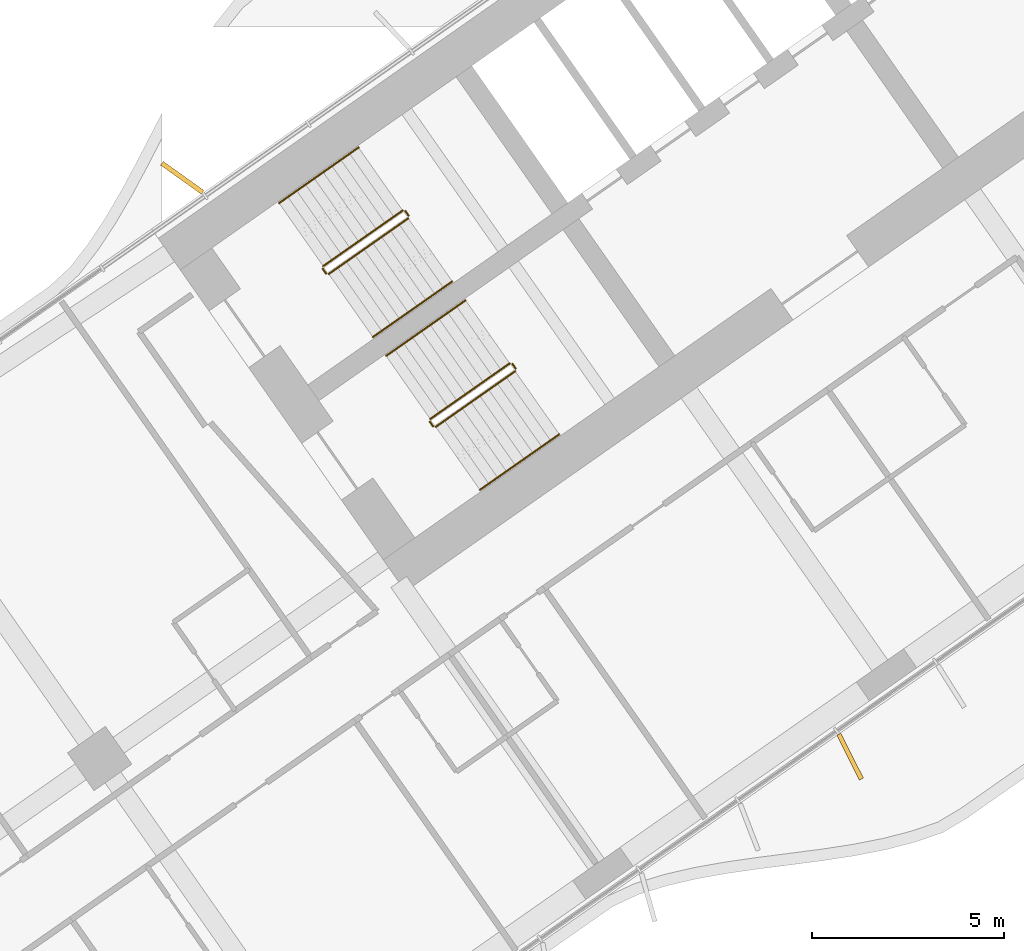
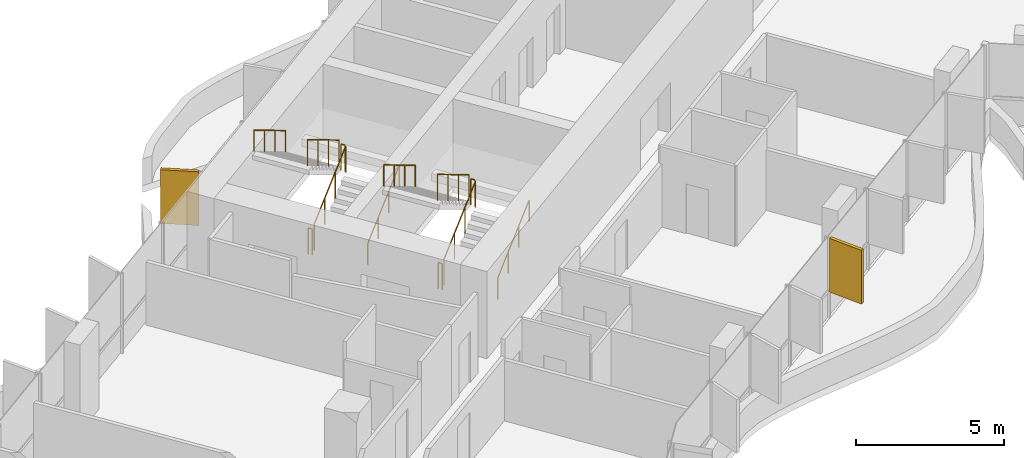
# One storey, part 19 of 23: 12 railings, 2 shading devices.
"""IFC4 building model written with IfcOpenShell, lengths in metres."""

from ifc_helpers import new_model, si_unit, direction, frame, origin, origin_2d, place, context, subcontext, project, spatial, rectangle, circle, extrude, material, layer, layer_set, type_object, element, save


model = new_model("IFC4")

# Units and contexts
model_context = context("Model", 3, precision=1e-05, world=origin(), true_north=direction((0.0, 1.0)))
body_context = subcontext(model_context, "Body", "Model", "MODEL_VIEW")
ifc_project = project(units=[si_unit("LENGTHUNIT", "METRE"), si_unit("AREAUNIT", "SQUARE_METRE"), si_unit("VOLUMEUNIT", "CUBIC_METRE"), si_unit("PLANEANGLEUNIT", "RADIAN"), si_unit("MASSUNIT", "GRAM", prefix="KILO")], contexts=[model_context])

# Site, building, storey
site_placement = place(None, origin())
site = spatial("IfcSite", under=ifc_project, at=site_placement, CompositionType="ELEMENT")
building_placement = place(site_placement, origin())
building = spatial("IfcBuilding", under=site, at=building_placement, Name="Tel Ilan Convention Tower", CompositionType="ELEMENT")
storey_placement = place(building_placement, frame((0.0, 0.0, 79.699951171875)))
storey = spatial("IfcBuildingStorey", under=building, at=storey_placement, Name="L15", CompositionType="ELEMENT", Elevation=79.699951171875)

# Shading devices
ifc_material_1 = material(Name="Aluminium, bronze anodised", Category="aluminium")
ifc_layer = layer(ifc_material_1, 0.1201171875)
ifc_layer_set = layer_set([ifc_layer], Name="FIN BRONZE 1300x120")
shading_device_type = type_object("IfcShadingDeviceType", Name="FIN BRONZE 1300x120", PredefinedType="USERDEFINED", material=ifc_layer_set)
for number, where, z_axis, x_axis, name in (
    (1, (-27.3427734375, -5.555419921875, 1.10009765625), (0.0, 0.0, 1.0), (-0.813552070258, 0.581492071294, 0.0), "FIN"),
    (2, (-9.9833984375, -20.603759765625, 1.10009765625), (0.0, 0.0, 1.0), (0.448799180206, -0.893632640321, 0.0), "FIN"),
):
    element("IfcShadingDevice", number, at=place(storey_placement, frame(where, z_axis=z_axis, x_axis=x_axis)), inside=storey, type_object=shading_device_type, Name=name, ObjectType="FIN", PredefinedType="USERDEFINED", context=body_context, shape_type="SweptSolid", body=[
        extrude(rectangle(XDim=1.300048828125, YDim=0.1201171875, at=origin_2d()), origin(), (0.0, 0.0, 1.0), 2.219970703125),
    ])

# Railings
ifc_material_2 = material(Name="Stainless Steel Grade 316", Category="steel")
railing_type_1 = type_object("IfcRailingType", Name="Stainless Steel Stair Guard 1100 mm", PredefinedType="GUARDRAIL", material=ifc_material_2)
railing_1_placement = place(storey_placement, frame((-23.535400390625, -8.056396484375, 0.179931640625)))
element("IfcRailing", 3, at=railing_1_placement, inside=storey, type_object=railing_type_1, Name="L15 S1 stair guard 1", PredefinedType="GUARDRAIL", context=body_context, shape_type="SweptSolid", body=[
    extrude(circle(Radius=0.02392578125, at=origin_2d()), frame((0.0, 0.0, 1.076171875), z_axis=(0.689013013563, 0.482512838948, 0.540779462804), x_axis=(-0.573624882958, 0.819118119475, 0.0)), (0.0, 0.0, 1.0), 2.995849609375),
    extrude(circle(Radius=0.02099609375, at=origin_2d()), origin(), (0.0, 0.0, 1.0), 1.052001953125),
    extrude(circle(Radius=0.02099609375, at=origin_2d()), frame((0.68798828125, 0.48193359375, 0.5400390625)), (0.0, 0.0, 1.0), 1.052001953125),
    extrude(circle(Radius=0.02099609375, at=origin_2d()), frame((1.376220703125, 0.963623046875, 1.080078125)), (0.0, 0.0, 1.0), 1.052001953125),
    extrude(circle(Radius=0.02099609375, at=origin_2d()), frame((2.064208984375, 1.445556640625, 1.6201171875)), (0.0, 0.0, 1.0), 1.052001953125),
])
railing_2_placement = place(storey_placement, frame((-21.458984375, -6.541259765625, 1.800048828125)))
element("IfcRailing", 4, at=railing_2_placement, inside=storey, type_object=railing_type_1, Name="L15 S1 stair guard 2", PredefinedType="GUARDRAIL", context=body_context, shape_type="SweptSolid", body=[
    extrude(circle(Radius=0.02392578125, at=origin_2d()), frame((0.0, 0.0, 1.076171875), z_axis=(-0.573353020881, 0.819308436089, 0.0), x_axis=(-0.819308436089, -0.573353020881, 0.0)), (0.0, 0.0, 1.0), 0.14990234375),
    extrude(circle(Radius=0.02099609375, at=origin_2d()), origin(), (0.0, 0.0, 1.0), 1.052001953125),
    extrude(circle(Radius=0.02099609375, at=origin_2d()), frame((-0.0859375, 0.122802734375, 0.0)), (0.0, 0.0, 1.0), 1.052001953125),
])
railing_3_placement = place(storey_placement, frame((-21.614501953125, -6.406005859375, 1.97998046875)))
element("IfcRailing", 5, at=railing_3_placement, inside=storey, type_object=railing_type_1, Name="L15 S1 stair guard 3", PredefinedType="GUARDRAIL", context=body_context, shape_type="SweptSolid", body=[
    extrude(circle(Radius=0.02392578125, at=origin_2d()), frame((0.0, 0.0, 1.076171875), z_axis=(-0.689013013563, -0.482512838948, 0.540779462804), x_axis=(0.573624882958, -0.819118119475, 0.0)), (0.0, 0.0, 1.0), 2.995849609375),
    extrude(circle(Radius=0.02099609375, at=origin_2d()), origin(), (0.0, 0.0, 1.0), 1.052001953125),
    extrude(circle(Radius=0.02099609375, at=origin_2d()), frame((-0.68798828125, -0.48193359375, 0.5400390625)), (0.0, 0.0, 1.0), 1.052001953125),
    extrude(circle(Radius=0.02099609375, at=origin_2d()), frame((-1.376220703125, -0.963623046875, 1.080078125)), (0.0, 0.0, 1.0), 1.052001953125),
    extrude(circle(Radius=0.02099609375, at=origin_2d()), frame((-2.064208984375, -1.445556640625, 1.6201171875)), (0.0, 0.0, 1.0), 1.052001953125),
])
railing_4_placement = place(storey_placement, frame((-23.60498046875, -8.0439453125, 0.0)))
element("IfcRailing", 6, at=railing_4_placement, inside=storey, type_object=railing_type_1, Name="L15 S1 stair guard 4", PredefinedType="GUARDRAIL", context=body_context, shape_type="SweptSolid", body=[
    extrude(circle(Radius=0.02392578125, at=origin_2d()), frame((0.0, 0.0, 1.076171875), z_axis=(-0.574444878118, 0.818543268254, 0.0), x_axis=(-0.818543268254, -0.574444878118, 0.0)), (0.0, 0.0, 1.0), 0.150146484375),
    extrude(circle(Radius=0.02099609375, at=origin_2d()), origin(), (0.0, 0.0, 1.0), 1.052001953125),
    extrude(circle(Radius=0.02099609375, at=origin_2d()), frame((-0.086181640625, 0.122802734375, 0.0)), (0.0, 0.0, 1.0), 1.052001953125),
])
railing_5_placement = place(storey_placement, frame((-20.753662109375, -12.029296875, 0.179931640625)))
element("IfcRailing", 7, at=railing_5_placement, inside=storey, type_object=railing_type_1, Name="L15 S2 stair guard 1", PredefinedType="GUARDRAIL", context=body_context, shape_type="SweptSolid", body=[
    extrude(circle(Radius=0.02392578125, at=origin_2d()), frame((0.0, 0.0, 1.076171875), z_axis=(0.689055814419, 0.482485747064, 0.540749099395), x_axis=(-0.573579365141, 0.81914999352, 0.0)), (0.0, 0.0, 1.0), 2.99609375),
    extrude(circle(Radius=0.02099609375, at=origin_2d()), origin(), (0.0, 0.0, 1.0), 1.052001953125),
    extrude(circle(Radius=0.02099609375, at=origin_2d()), frame((0.688232421875, 0.48193359375, 0.5400390625)), (0.0, 0.0, 1.0), 1.052001953125),
    extrude(circle(Radius=0.02099609375, at=origin_2d()), frame((1.376220703125, 0.963623046875, 1.080078125)), (0.0, 0.0, 1.0), 1.052001953125),
    extrude(circle(Radius=0.02099609375, at=origin_2d()), frame((2.064453125, 1.445556640625, 1.6201171875)), (0.0, 0.0, 1.0), 1.052001953125),
])
railing_6_placement = place(storey_placement, frame((-18.677001953125, -10.51416015625, 1.800048828125)))
element("IfcRailing", 8, at=railing_6_placement, inside=storey, type_object=railing_type_1, Name="L15 S2 stair guard 2", PredefinedType="GUARDRAIL", context=body_context, shape_type="SweptSolid", body=[
    extrude(circle(Radius=0.02392578125, at=origin_2d()), frame((0.0, 0.0, 1.076171875), z_axis=(-0.573353020881, 0.819308436089, 0.0), x_axis=(-0.819308436089, -0.573353020881, 0.0)), (0.0, 0.0, 1.0), 0.14990234375),
    extrude(circle(Radius=0.02099609375, at=origin_2d()), origin(), (0.0, 0.0, 1.0), 1.052001953125),
    extrude(circle(Radius=0.02099609375, at=origin_2d()), frame((-0.0859375, 0.122802734375, 0.0)), (0.0, 0.0, 1.0), 1.052001953125),
])
railing_7_placement = place(storey_placement, frame((-18.832763671875, -10.37890625, 1.97998046875)))
element("IfcRailing", 9, at=railing_7_placement, inside=storey, type_object=railing_type_1, Name="L15 S2 stair guard 3", PredefinedType="GUARDRAIL", context=body_context, shape_type="SweptSolid", body=[
    extrude(circle(Radius=0.02392578125, at=origin_2d()), frame((0.0, 0.0, 1.076171875), z_axis=(-0.689013013563, -0.482512838948, 0.540779462804), x_axis=(0.573624882958, -0.819118119475, 0.0)), (0.0, 0.0, 1.0), 2.995849609375),
    extrude(circle(Radius=0.02099609375, at=origin_2d()), origin(), (0.0, 0.0, 1.0), 1.052001953125),
    extrude(circle(Radius=0.02099609375, at=origin_2d()), frame((-0.68798828125, -0.48193359375, 0.5400390625)), (0.0, 0.0, 1.0), 1.052001953125),
    extrude(circle(Radius=0.02099609375, at=origin_2d()), frame((-1.376220703125, -0.963623046875, 1.080078125)), (0.0, 0.0, 1.0), 1.052001953125),
    extrude(circle(Radius=0.02099609375, at=origin_2d()), frame((-2.064208984375, -1.445556640625, 1.6201171875)), (0.0, 0.0, 1.0), 1.052001953125),
])
railing_8_placement = place(storey_placement, frame((-20.8232421875, -12.016845703125, 0.0)))
element("IfcRailing", 10, at=railing_8_placement, inside=storey, type_object=railing_type_1, Name="L15 S2 stair guard 4", PredefinedType="GUARDRAIL", context=body_context, shape_type="SweptSolid", body=[
    extrude(circle(Radius=0.02392578125, at=origin_2d()), frame((0.0, 0.0, 1.076171875), z_axis=(-0.573353020881, 0.819308436089, 0.0), x_axis=(-0.819308436089, -0.573353020881, 0.0)), (0.0, 0.0, 1.0), 0.14990234375),
    extrude(circle(Radius=0.02099609375, at=origin_2d()), origin(), (0.0, 0.0, 1.0), 1.052001953125),
    extrude(circle(Radius=0.02099609375, at=origin_2d()), frame((-0.0859375, 0.122802734375, 0.0)), (0.0, 0.0, 1.0), 1.052001953125),
])
ifc_material_3 = material(Name="Stainless Steel Grade 316", Category="steel")
railing_type_2 = type_object("IfcRailingType", Name="Stainless Steel Stair Handrail 900 mm", PredefinedType="HANDRAIL", material=ifc_material_3)
railing_9_placement = place(storey_placement, frame((-22.38818359375, -9.694580078125, 0.179931640625)))
element("IfcRailing", 11, at=railing_9_placement, inside=storey, type_object=railing_type_2, Name="L15 S1 stair handrail 1", PredefinedType="HANDRAIL", context=body_context, shape_type="SweptSolid", body=[
    extrude(circle(Radius=0.02392578125, at=origin_2d()), frame((0.0, 0.0, 0.8759765625), z_axis=(0.689040105437, 0.482450316285, 0.54080072616), x_axis=(-0.573559875649, 0.819163639968, 0.0)), (0.0, 0.0, 1.0), 2.995849609375),
    extrude(circle(Radius=0.02099609375, at=origin_2d()), origin(), (0.0, 0.0, 1.0), 0.851806640625),
    extrude(circle(Radius=0.02099609375, at=origin_2d()), frame((0.68798828125, 0.481689453125, 0.5400390625)), (0.0, 0.0, 1.0), 0.851806640625),
    extrude(circle(Radius=0.02099609375, at=origin_2d()), frame((1.376220703125, 0.963623046875, 1.080078125)), (0.0, 0.0, 1.0), 0.851806640625),
    extrude(circle(Radius=0.02099609375, at=origin_2d()), frame((2.064208984375, 1.4453125, 1.6201171875)), (0.0, 0.0, 1.0), 0.851806640625),
])
railing_10_placement = place(storey_placement, frame((-22.76171875, -4.767822265625, 1.97998046875)))
element("IfcRailing", 12, at=railing_10_placement, inside=storey, type_object=railing_type_2, Name="L15 S1 stair handrail 2", PredefinedType="HANDRAIL", context=body_context, shape_type="SweptSolid", body=[
    extrude(circle(Radius=0.02392578125, at=origin_2d()), frame((0.0, 0.0, 0.8759765625), z_axis=(-0.689040105437, -0.482450316285, 0.54080072616), x_axis=(0.573559875649, -0.819163639968, 0.0)), (0.0, 0.0, 1.0), 2.995849609375),
    extrude(circle(Radius=0.02099609375, at=origin_2d()), origin(), (0.0, 0.0, 1.0), 0.851806640625),
    extrude(circle(Radius=0.02099609375, at=origin_2d()), frame((-0.68798828125, -0.481689453125, 0.5400390625)), (0.0, 0.0, 1.0), 0.851806640625),
    extrude(circle(Radius=0.02099609375, at=origin_2d()), frame((-1.376220703125, -0.963623046875, 1.080078125)), (0.0, 0.0, 1.0), 0.851806640625),
    extrude(circle(Radius=0.02099609375, at=origin_2d()), frame((-2.064208984375, -1.4453125, 1.6201171875)), (0.0, 0.0, 1.0), 0.851806640625),
])
railing_11_placement = place(storey_placement, frame((-19.6064453125, -13.66748046875, 0.179931640625)))
element("IfcRailing", 13, at=railing_11_placement, inside=storey, type_object=railing_type_2, Name="L15 S2 stair handrail 1", PredefinedType="HANDRAIL", context=body_context, shape_type="SweptSolid", body=[
    extrude(circle(Radius=0.02392578125, at=origin_2d()), frame((0.0, 0.0, 0.8759765625), z_axis=(0.689040105437, 0.482450316285, 0.54080072616), x_axis=(-0.573559875649, 0.819163639968, 0.0)), (0.0, 0.0, 1.0), 2.995849609375),
    extrude(circle(Radius=0.02099609375, at=origin_2d()), origin(), (0.0, 0.0, 1.0), 0.851806640625),
    extrude(circle(Radius=0.02099609375, at=origin_2d()), frame((0.68798828125, 0.481689453125, 0.5400390625)), (0.0, 0.0, 1.0), 0.851806640625),
    extrude(circle(Radius=0.02099609375, at=origin_2d()), frame((1.376220703125, 0.963623046875, 1.080078125)), (0.0, 0.0, 1.0), 0.851806640625),
    extrude(circle(Radius=0.02099609375, at=origin_2d()), frame((2.064208984375, 1.4453125, 1.6201171875)), (0.0, 0.0, 1.0), 0.851806640625),
])
railing_12_placement = place(storey_placement, frame((-19.979736328125, -8.74072265625, 1.97998046875)))
element("IfcRailing", 14, at=railing_12_placement, inside=storey, type_object=railing_type_2, Name="L15 S2 stair handrail 2", PredefinedType="HANDRAIL", context=body_context, shape_type="SweptSolid", body=[
    extrude(circle(Radius=0.02392578125, at=origin_2d()), frame((0.0, 0.0, 0.8759765625), z_axis=(-0.689082904933, -0.482423225781, 0.540770359169), x_axis=(0.573514357932, -0.81919550856, 0.0)), (0.0, 0.0, 1.0), 2.995849609375),
    extrude(circle(Radius=0.02099609375, at=origin_2d()), origin(), (0.0, 0.0, 1.0), 0.851806640625),
    extrude(circle(Radius=0.02099609375, at=origin_2d()), frame((-0.688232421875, -0.481689453125, 0.5400390625)), (0.0, 0.0, 1.0), 0.851806640625),
    extrude(circle(Radius=0.02099609375, at=origin_2d()), frame((-1.376220703125, -0.963623046875, 1.080078125)), (0.0, 0.0, 1.0), 0.851806640625),
    extrude(circle(Radius=0.02099609375, at=origin_2d()), frame((-2.064453125, -1.4453125, 1.6201171875)), (0.0, 0.0, 1.0), 0.851806640625),
])

save(model, "model.ifc")
